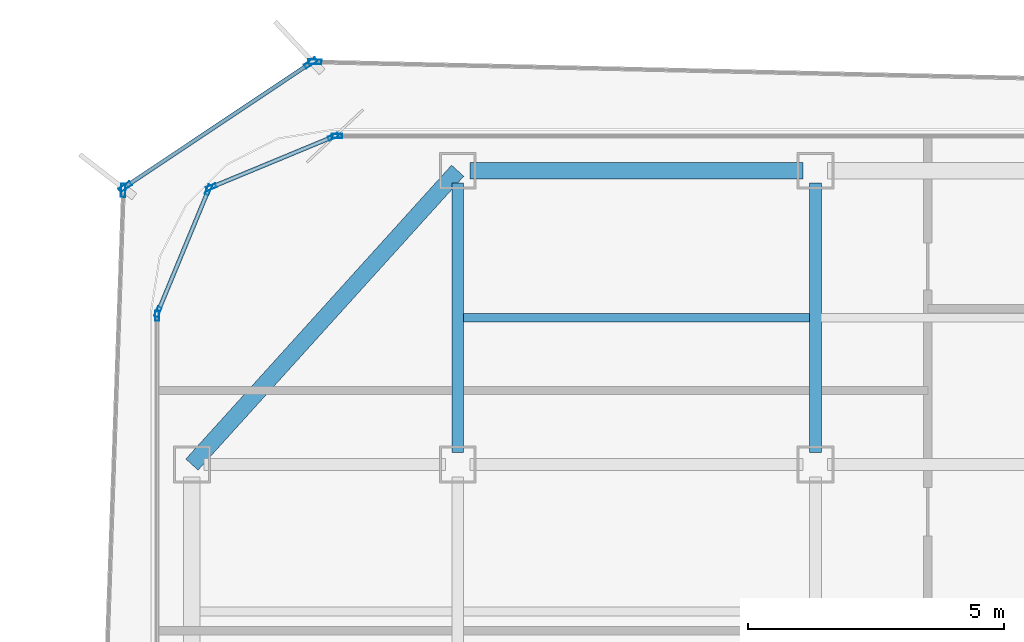
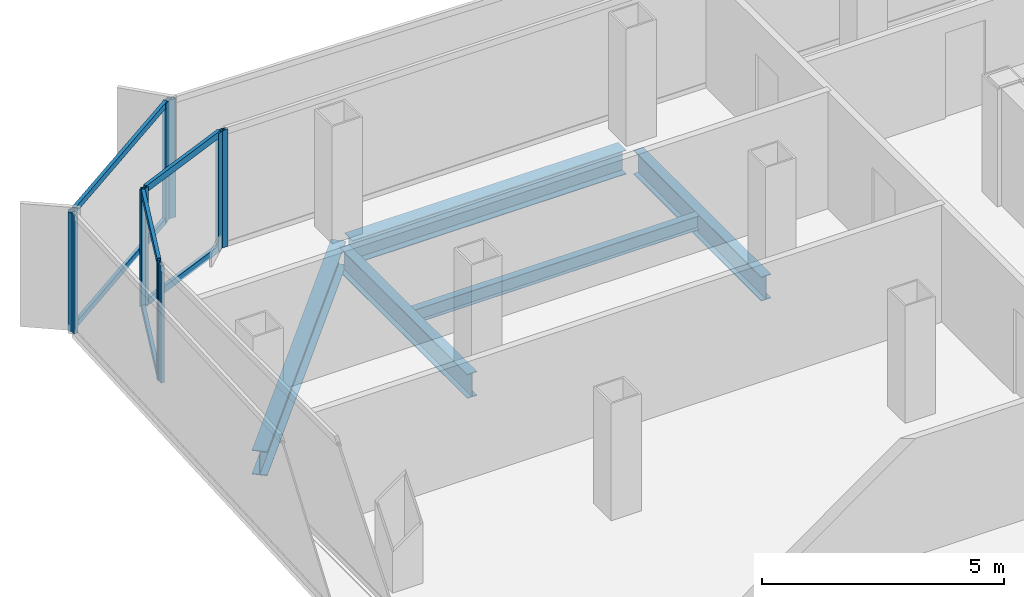
# One storey, part 6 of 16: 16 members, 5 beams, 7 elements without a shape of their own.
"""IFC4 building model written with IfcOpenShell, lengths in metres."""

from ifc_helpers import new_model, si_unit, direction, frame, origin, origin_2d, place, context, subcontext, project, spatial, hollow_rectangle, i_section, extrude, source, transform, mapped, material, layer, layer_set, material_profile, profile_set, type_object, element, aggregate, save


model = new_model("IFC4")

# Units and contexts
model_context = context("Model", 3, precision=1e-05, world=origin(), true_north=direction((0.0, 1.0)))
body_context = subcontext(model_context, "Body", "Model", "MODEL_VIEW")
ifc_project = project(units=[si_unit("LENGTHUNIT", "METRE"), si_unit("AREAUNIT", "SQUARE_METRE"), si_unit("VOLUMEUNIT", "CUBIC_METRE"), si_unit("PLANEANGLEUNIT", "RADIAN"), si_unit("MASSUNIT", "GRAM", prefix="KILO")], contexts=[model_context])

# Site, building, storey
site_placement = place(None, origin())
site = spatial("IfcSite", under=ifc_project, at=site_placement, CompositionType="ELEMENT")
building_placement = place(site_placement, origin())
building = spatial("IfcBuilding", under=site, at=building_placement, Name="Kolveth Station Tower", CompositionType="ELEMENT")
storey_placement = place(building_placement, frame((0.0, 0.0, 162.5)))
storey = spatial("IfcBuildingStorey", under=building, at=storey_placement, Name="L45", CompositionType="ELEMENT", Elevation=162.5)

# Beams
ifc_material_1 = material(Name="Steel S355", Category="steel")
ifc_material_profile_1 = material_profile(ifc_material_1, i_section(OverallWidth=0.323974609375, OverallDepth=0.611083984375, WebThickness=0.0126953125, FlangeThickness=0.01904296875, at=origin_2d()), Name="W610x155")
ifc_profile_set_1 = profile_set([ifc_material_profile_1], Name="Steel S355")
beam_type_1 = type_object("IfcBeamType", Name="Beam_SP2", PredefinedType="SPANDREL", material=ifc_profile_set_1)
shared_shape_1 = source(origin(), body_context, "Body", "SweptSolid", [
    extrude(i_section(OverallWidth=0.323974609375, OverallDepth=0.611083984375, WebThickness=0.0126953125, FlangeThickness=0.01904296875, at=origin_2d()), origin(), (0.0, 0.0, 1.0), 7.75244140625),
])
beam_1_placement = place(storey_placement, frame((6.0, 34.5, -0.555419921875), z_axis=(-0.670740965555, -0.74169168603, 0.0), x_axis=(0.74169168603, -0.670740965555, 0.0)))
element("IfcBeam", 1, at=beam_1_placement, inside=storey, type_object=beam_type_1, Name="L45 Corner Edge Girder BM-L45-CNR-NW", PredefinedType="SPANDREL", context=body_context, shape_type="MappedRepresentation", body=[
    mapped(shared_shape_1, transform((0.0, 0.0, 0.0), x_axis=(1.0, 0.0, 0.0), y_axis=(0.0, 1.0, 0.0), z_axis=(0.0, 0.0, 1.0), scale=1.0)),
])
shared_shape_2 = source(origin(), body_context, "Body", "SweptSolid", [
    extrude(i_section(OverallWidth=0.323974609375, OverallDepth=0.611083984375, WebThickness=0.0126953125, FlangeThickness=0.01904296875, at=origin_2d()), origin(), (0.0, 0.0, 1.0), 6.52001953125),
])
beam_2_placement = place(storey_placement, frame((6.239990234375, 34.5, -0.555419921875), z_axis=(1.0, 0.0, 0.0), x_axis=(0.0, 1.0, 0.0)))
element("IfcBeam", 2, at=beam_2_placement, inside=storey, type_object=beam_type_1, Name="L45 Perimeter Spandrel BM-L45-PN-1", PredefinedType="SPANDREL", context=body_context, shape_type="MappedRepresentation", body=[
    mapped(shared_shape_2, transform((0.0, 0.0, 0.0), x_axis=(1.0, 0.0, 0.0), y_axis=(0.0, 1.0, 0.0), z_axis=(0.0, 0.0, 1.0), scale=1.0)),
])
ifc_material_profile_2 = material_profile(ifc_material_1, i_section(OverallWidth=0.22900390625, OverallDepth=0.612060546875, WebThickness=0.011962890625, FlangeThickness=0.01953125, at=origin_2d()), Name="W610x125")
ifc_profile_set_2 = profile_set([ifc_material_profile_2], Name="Steel S355")
beam_type_2 = type_object("IfcBeamType", Name="Beam_B5", PredefinedType="BEAM", material=ifc_profile_set_2)
shared_shape_3 = source(origin(), body_context, "Body", "SweptSolid", [
    extrude(i_section(OverallWidth=0.22900390625, OverallDepth=0.612060546875, WebThickness=0.011962890625, FlangeThickness=0.01953125, at=origin_2d()), origin(), (0.0, 0.0, 1.0), 5.27001953125),
])
for number, where, z_axis, x_axis, name in (
    (3, (6.0, 28.989990234375, -0.555908203125), (0.0, 1.0, 0.0), (-1.0, 0.0, 0.0), "L45 Primary Girder BM-L45-GX60-6"),
    (4, (13.0, 28.989990234375, -0.555908203125), (0.0, 1.0, 0.0), (-1.0, 0.0, 0.0), "L45 Primary Girder BM-L45-GX130-6"),
):
    element("IfcBeam", number, at=place(storey_placement, frame(where, z_axis=z_axis, x_axis=x_axis)), inside=storey, type_object=beam_type_2, Name=name, PredefinedType="BEAM", context=body_context, shape_type="MappedRepresentation", body=[
        mapped(shared_shape_3, transform((0.0, 0.0, 0.0), x_axis=(1.0, 0.0, 0.0), y_axis=(0.0, 1.0, 0.0), z_axis=(0.0, 0.0, 1.0), scale=1.0)),
    ])
ifc_material_profile_3 = material_profile(ifc_material_1, i_section(OverallWidth=0.1708984375, OverallDepth=0.35205078125, WebThickness=0.0068359375, FlangeThickness=0.009765625, at=origin_2d()), Name="W360x44")
ifc_profile_set_3 = profile_set([ifc_material_profile_3], Name="Steel S355")
beam_type_3 = type_object("IfcBeamType", Name="Beam_J2", PredefinedType="JOIST", material=ifc_profile_set_3)
shared_shape_4 = source(origin(), body_context, "Body", "SweptSolid", [
    extrude(i_section(OverallWidth=0.1708984375, OverallDepth=0.35205078125, WebThickness=0.0068359375, FlangeThickness=0.009765625, at=origin_2d()), origin(), (0.0, 0.0, 1.0), 6.77490234375),
])
beam_3_placement = place(storey_placement, frame((6.112548828125, 31.625, -0.426025390625), z_axis=(1.0, 0.0, 0.0), x_axis=(0.0, 1.0, 0.0)))
element("IfcBeam", 5, at=beam_3_placement, inside=storey, type_object=beam_type_3, Name="L45 Secondary Joist JST-L45-2-6", PredefinedType="JOIST", context=body_context, shape_type="MappedRepresentation", body=[
    mapped(shared_shape_4, transform((0.0, 0.0, 0.0), x_axis=(1.0, 0.0, 0.0), y_axis=(0.0, 1.0, 0.0), z_axis=(0.0, 0.0, 1.0), scale=1.0)),
])

# Curtain wall, member
ifc_material_2 = material(Name="Aluminium 6063-T6 and low-E dark glass", Category="aluminium")
ifc_layer_1 = layer(ifc_material_2, 0.18994140625)
ifc_layer_set_1 = layer_set([ifc_layer_1], Name="Aluminium 6063-T6 and low-E dark glass")
curtain_wall_type_1 = type_object("IfcCurtainWallType", Name="CurtainWall_CW-Z2", PredefinedType="NOTDEFINED", material=ifc_layer_set_1)
curtain_wall_1_placement = place(storey_placement, origin())
curtain_wall_1 = element("IfcCurtainWall", 6, at=curtain_wall_1_placement, inside=storey, type_object=curtain_wall_type_1, Name="L45 Inner Thermal Curtain Wall 6", PredefinedType="NOTDEFINED")
ifc_material_3 = material(Name="Black anodized aluminium 6063-T6", Category="aluminium")
ifc_material_profile_4 = material_profile(ifc_material_3, hollow_rectangle(XDim=0.080078125, YDim=0.199951171875, WallThickness=0.0048828125, at=origin_2d()), Name="ALU-80x200x5")
ifc_profile_set_4 = profile_set([ifc_material_profile_4], Name="Black anodized aluminium 6063-T6")
member_type_1 = type_object("IfcMemberType", Name="Mullion_ML2", PredefinedType="MULLION", material=ifc_profile_set_4)
shared_shape_5 = source(origin(), body_context, "Body", "SweptSolid", [
    extrude(hollow_rectangle(XDim=0.080078125, YDim=0.199951171875, WallThickness=0.0048828125, at=origin_2d()), origin(), (0.0, 0.0, 1.0), 2.949951171875),
])
member_1_placement = place(storey_placement, frame((3.639892578125, 35.179931640625, 0.0), z_axis=(0.0, 0.0, 1.0), x_axis=(0.0, -1.0, 0.0)))
member_1 = element("IfcMember", 7, at=member_1_placement, type_object=member_type_1, Name="CW-Z2 mullion 2", PredefinedType="MULLION", context=body_context, shape_type="MappedRepresentation", body=[
    mapped(shared_shape_5, transform((0.0, 0.0, 0.0), x_axis=(1.0, 0.0, 0.0), y_axis=(0.0, 1.0, 0.0), z_axis=(0.0, 0.0, 1.0), scale=1.0)),
])
aggregate(curtain_wall_1, [member_1])

# Curtain wall, members
curtain_wall_2_placement = place(storey_placement, origin())
curtain_wall_2 = element("IfcCurtainWall", 8, at=curtain_wall_2_placement, inside=storey, type_object=curtain_wall_type_1, Name="L45 Inner Thermal Curtain Wall 7", PredefinedType="NOTDEFINED")
member_2_placement = place(storey_placement, frame((3.56298828125, 35.164794921875, 0.0), z_axis=(0.0, 0.0, 1.0), x_axis=(0.382697753087, -0.923873600544, 0.0)))
member_2 = element("IfcMember", 9, at=member_2_placement, type_object=member_type_1, Name="CW-Z2 mullion 1", PredefinedType="MULLION", context=body_context, shape_type="MappedRepresentation", body=[
    mapped(shared_shape_5, transform((0.0, 0.0, 0.0), x_axis=(1.0, 0.0, 0.0), y_axis=(0.0, 1.0, 0.0), z_axis=(0.0, 0.0, 1.0), scale=1.0)),
])
member_3_placement = place(storey_placement, frame((1.17626953125, 34.176025390625, 0.0), z_axis=(0.0, 0.0, 1.0), x_axis=(0.382697753087, -0.923873600544, 0.0)))
member_3 = element("IfcMember", 10, at=member_3_placement, type_object=member_type_1, Name="CW-Z2 mullion 2", PredefinedType="MULLION", context=body_context, shape_type="MappedRepresentation", body=[
    mapped(shared_shape_5, transform((0.0, 0.0, 0.0), x_axis=(1.0, 0.0, 0.0), y_axis=(0.0, 1.0, 0.0), z_axis=(0.0, 0.0, 1.0), scale=1.0)),
])

curtain_wall_3_placement = place(storey_placement, origin())
curtain_wall_3 = element("IfcCurtainWall", 11, at=curtain_wall_3_placement, inside=storey, type_object=curtain_wall_type_1, Name="L45 Inner Thermal Curtain Wall 8", PredefinedType="NOTDEFINED")
member_4_placement = place(storey_placement, frame((1.1240234375, 34.123779296875, 0.0), z_axis=(0.0, 0.0, 1.0), x_axis=(0.923873600544, -0.382697753087, 0.0)))
member_4 = element("IfcMember", 12, at=member_4_placement, type_object=member_type_1, Name="CW-Z2 mullion 1", PredefinedType="MULLION", context=body_context, shape_type="MappedRepresentation", body=[
    mapped(shared_shape_5, transform((0.0, 0.0, 0.0), x_axis=(1.0, 0.0, 0.0), y_axis=(0.0, 1.0, 0.0), z_axis=(0.0, 0.0, 1.0), scale=1.0)),
])
member_5_placement = place(storey_placement, frame((0.13525390625, 31.737060546875, 0.0), z_axis=(0.0, 0.0, 1.0), x_axis=(0.923873600544, -0.382697753087, 0.0)))
member_5 = element("IfcMember", 13, at=member_5_placement, type_object=member_type_1, Name="CW-Z2 mullion 2", PredefinedType="MULLION", context=body_context, shape_type="MappedRepresentation", body=[
    mapped(shared_shape_5, transform((0.0, 0.0, 0.0), x_axis=(1.0, 0.0, 0.0), y_axis=(0.0, 1.0, 0.0), z_axis=(0.0, 0.0, 1.0), scale=1.0)),
])

# Curtain wall, member
curtain_wall_4_placement = place(storey_placement, origin())
curtain_wall_4 = element("IfcCurtainWall", 14, at=curtain_wall_4_placement, inside=storey, type_object=curtain_wall_type_1, Name="L45 Inner Thermal Curtain Wall 9", PredefinedType="NOTDEFINED")
member_6_placement = place(storey_placement, frame((0.1201171875, 31.659912109375, 0.0), z_axis=(0.0, 0.0, 1.0), x_axis=(1.0, 0.0, 0.0)))
member_6 = element("IfcMember", 15, at=member_6_placement, type_object=member_type_1, Name="CW-Z2 mullion 1", PredefinedType="MULLION", context=body_context, shape_type="MappedRepresentation", body=[
    mapped(shared_shape_5, transform((0.0, 0.0, 0.0), x_axis=(1.0, 0.0, 0.0), y_axis=(0.0, 1.0, 0.0), z_axis=(0.0, 0.0, 1.0), scale=1.0)),
])
aggregate(curtain_wall_4, [member_6])

ifc_material_4 = material(Name="Black anodized aluminium 6063-T6 and dark solar glass", Category="aluminium")
ifc_layer_2 = layer(ifc_material_4, 0.159912109375)
ifc_layer_set_2 = layer_set([ifc_layer_2], Name="Black anodized aluminium 6063-T6 and dark solar glass")
curtain_wall_type_2 = type_object("IfcCurtainWallType", Name="OUTER SKIN CW-OS", PredefinedType="NOTDEFINED", material=ifc_layer_set_2)
curtain_wall_5_placement = place(storey_placement, origin())
curtain_wall_5 = element("IfcCurtainWall", 16, at=curtain_wall_5_placement, inside=storey, type_object=curtain_wall_type_2, Name="L45 Outer Ventilated Skin Curtain Wall 4", PredefinedType="NOTDEFINED")
ifc_material_profile_5 = material_profile(ifc_material_3, hollow_rectangle(XDim=0.090087890625, YDim=0.260009765625, WallThickness=0.0048828125, at=origin_2d()), Name="ALU-90x260x5")
ifc_profile_set_5 = profile_set([ifc_material_profile_5], Name="Black anodized aluminium 6063-T6")
member_type_2 = type_object("IfcMemberType", Name="FIN MULLION ML-OS", PredefinedType="MULLION", material=ifc_profile_set_5)
shared_shape_6 = source(origin(), body_context, "Body", "SweptSolid", [
    extrude(hollow_rectangle(XDim=0.090087890625, YDim=0.260009765625, WallThickness=0.0048828125, at=origin_2d()), origin(), (0.0, 0.0, 1.0), 2.989990234375),
])
member_7_placement = place(storey_placement, frame((3.20556640625, 36.632080078125, 0.0), z_axis=(0.0, 0.0, 1.0), x_axis=(-0.022723038218, -0.999741798433, 0.0)))
member_7 = element("IfcMember", 17, at=member_7_placement, type_object=member_type_2, Name="CW-OS mullion 2", PredefinedType="MULLION", context=body_context, shape_type="MappedRepresentation", body=[
    mapped(shared_shape_6, transform((0.0, 0.0, 0.0), x_axis=(1.0, 0.0, 0.0), y_axis=(0.0, 1.0, 0.0), z_axis=(0.0, 0.0, 1.0), scale=1.0)),
])
aggregate(curtain_wall_5, [member_7])

# Curtain wall, members
curtain_wall_6_placement = place(storey_placement, origin())
curtain_wall_6 = element("IfcCurtainWall", 18, at=curtain_wall_6_placement, inside=storey, type_object=curtain_wall_type_2, Name="L45 Outer Ventilated Skin Curtain Wall 5", PredefinedType="NOTDEFINED")
member_8_placement = place(storey_placement, frame((3.123291015625, 36.608154296875, 0.0), z_axis=(0.0, 0.0, 1.0), x_axis=(0.555233852833, -0.831694275962, 0.0)))
member_8 = element("IfcMember", 19, at=member_8_placement, type_object=member_type_2, Name="CW-OS mullion 1", PredefinedType="MULLION", context=body_context, shape_type="MappedRepresentation", body=[
    mapped(shared_shape_6, transform((0.0, 0.0, 0.0), x_axis=(1.0, 0.0, 0.0), y_axis=(0.0, 1.0, 0.0), z_axis=(0.0, 0.0, 1.0), scale=1.0)),
])
member_9_placement = place(storey_placement, frame((-0.505615234375, 34.185546875, 0.0), z_axis=(0.0, 0.0, 1.0), x_axis=(0.555233852833, -0.831694275962, 0.0)))
member_9 = element("IfcMember", 20, at=member_9_placement, type_object=member_type_2, Name="CW-OS mullion 2", PredefinedType="MULLION", context=body_context, shape_type="MappedRepresentation", body=[
    mapped(shared_shape_6, transform((0.0, 0.0, 0.0), x_axis=(1.0, 0.0, 0.0), y_axis=(0.0, 1.0, 0.0), z_axis=(0.0, 0.0, 1.0), scale=1.0)),
])

# Curtain wall, member
curtain_wall_7_placement = place(storey_placement, origin())
curtain_wall_7 = element("IfcCurtainWall", 21, at=curtain_wall_7_placement, inside=storey, type_object=curtain_wall_type_2, Name="L45 Outer Ventilated Skin Curtain Wall 6", PredefinedType="NOTDEFINED")
member_10_placement = place(storey_placement, frame((-0.544677734375, 34.11572265625, 0.0), z_axis=(0.0, 0.0, 1.0), x_axis=(0.999378229613, -0.035258391556, 0.0)))
member_10 = element("IfcMember", 22, at=member_10_placement, type_object=member_type_2, Name="CW-OS mullion 1", PredefinedType="MULLION", context=body_context, shape_type="MappedRepresentation", body=[
    mapped(shared_shape_6, transform((0.0, 0.0, 0.0), x_axis=(1.0, 0.0, 0.0), y_axis=(0.0, 1.0, 0.0), z_axis=(0.0, 0.0, 1.0), scale=1.0)),
])
aggregate(curtain_wall_7, [member_10])

# Member
ifc_material_profile_6 = material_profile(ifc_material_3, hollow_rectangle(XDim=0.080078125, YDim=0.169921875, WallThickness=0.0048828125, at=origin_2d()), Name="ALU-80x170x5")
ifc_profile_set_6 = profile_set([ifc_material_profile_6], Name="Black anodized aluminium 6063-T6")
member_type_3 = type_object("IfcMemberType", Name="Transom_TR2", PredefinedType="USERDEFINED", material=ifc_profile_set_6)
shared_shape_7 = source(origin(), body_context, "Body", "SweptSolid", [
    extrude(hollow_rectangle(XDim=0.080078125, YDim=0.169921875, WallThickness=0.0048828125, at=origin_2d()), origin(), (0.0, 0.0, 1.0), 2.50341796875),
])
member_11_placement = place(storey_placement, frame((3.526123046875, 35.1494140625, 0.0400390625), z_axis=(-0.923888472039, -0.382661849723, 0.0), x_axis=(0.382661849723, -0.923888472039, 0.0)))
member_11 = element("IfcMember", 23, at=member_11_placement, type_object=member_type_3, Name="CW-Z2 transom 1.1", ObjectType="TRANSOM", PredefinedType="USERDEFINED", context=body_context, shape_type="MappedRepresentation", body=[
    mapped(shared_shape_7, transform((0.0, 0.0, 0.0), x_axis=(1.0, 0.0, 0.0), y_axis=(0.0, 1.0, 0.0), z_axis=(0.0, 0.0, 1.0), scale=1.0)),
])

member_12_placement = place(storey_placement, frame((3.526123046875, 35.1494140625, 2.909912109375), z_axis=(-0.923888472039, -0.382661849723, 0.0), x_axis=(0.382661849723, -0.923888472039, 0.0)))
member_12 = element("IfcMember", 24, at=member_12_placement, type_object=member_type_3, Name="CW-Z2 transom 1.2", ObjectType="TRANSOM", PredefinedType="USERDEFINED", context=body_context, shape_type="MappedRepresentation", body=[
    mapped(shared_shape_7, transform((0.0, 0.0, 0.0), x_axis=(1.0, 0.0, 0.0), y_axis=(0.0, 1.0, 0.0), z_axis=(0.0, 0.0, 1.0), scale=1.0)),
])

aggregate(curtain_wall_2, [member_2, member_3, member_11, member_12])

member_13_placement = place(storey_placement, frame((1.108642578125, 34.086669921875, 0.0400390625), z_axis=(-0.382696328882, -0.923874190494, 0.0), x_axis=(0.923874190494, -0.382696328882, 0.0)))
member_13 = element("IfcMember", 25, at=member_13_placement, type_object=member_type_3, Name="CW-Z2 transom 1.1", ObjectType="TRANSOM", PredefinedType="USERDEFINED", context=body_context, shape_type="MappedRepresentation", body=[
    mapped(shared_shape_7, transform((0.0, 0.0, 0.0), x_axis=(1.0, 0.0, 0.0), y_axis=(0.0, 1.0, 0.0), z_axis=(0.0, 0.0, 1.0), scale=1.0)),
])

member_14_placement = place(storey_placement, frame((1.108642578125, 34.086669921875, 2.909912109375), z_axis=(-0.382696328882, -0.923874190494, 0.0), x_axis=(0.923874190494, -0.382696328882, 0.0)))
member_14 = element("IfcMember", 26, at=member_14_placement, type_object=member_type_3, Name="CW-Z2 transom 1.2", ObjectType="TRANSOM", PredefinedType="USERDEFINED", context=body_context, shape_type="MappedRepresentation", body=[
    mapped(shared_shape_7, transform((0.0, 0.0, 0.0), x_axis=(1.0, 0.0, 0.0), y_axis=(0.0, 1.0, 0.0), z_axis=(0.0, 0.0, 1.0), scale=1.0)),
])

aggregate(curtain_wall_3, [member_4, member_5, member_13, member_14])

ifc_material_profile_7 = material_profile(ifc_material_3, hollow_rectangle(XDim=0.080078125, YDim=0.14990234375, WallThickness=0.0048828125, at=origin_2d()), Name="ALU-80x150x5")
ifc_profile_set_7 = profile_set([ifc_material_profile_7], Name="Black anodized aluminium 6063-T6")
member_type_4 = type_object("IfcMemberType", Name="Transom_TR-OS", PredefinedType="USERDEFINED", material=ifc_profile_set_7)
shared_shape_8 = source(origin(), body_context, "Body", "SweptSolid", [
    extrude(hollow_rectangle(XDim=0.080078125, YDim=0.14990234375, WallThickness=0.0048828125, at=origin_2d()), origin(), (0.0, 0.0, 1.0), 4.273193359375),
])
member_15_placement = place(storey_placement, frame((3.085693359375, 36.5830078125, 0.0400390625), z_axis=(-0.831698533817, -0.555227474867, 0.0), x_axis=(0.555227474867, -0.831698533817, 0.0)))
member_15 = element("IfcMember", 27, at=member_15_placement, type_object=member_type_4, Name="CW-OS transom 1.1", ObjectType="TRANSOM", PredefinedType="USERDEFINED", context=body_context, shape_type="MappedRepresentation", body=[
    mapped(shared_shape_8, transform((0.0, 0.0, 0.0), x_axis=(1.0, 0.0, 0.0), y_axis=(0.0, 1.0, 0.0), z_axis=(0.0, 0.0, 1.0), scale=1.0)),
])

member_16_placement = place(storey_placement, frame((3.085693359375, 36.5830078125, 2.949951171875), z_axis=(-0.831698533817, -0.555227474867, 0.0), x_axis=(0.555227474867, -0.831698533817, 0.0)))
member_16 = element("IfcMember", 28, at=member_16_placement, type_object=member_type_4, Name="CW-OS transom 1.2", ObjectType="TRANSOM", PredefinedType="USERDEFINED", context=body_context, shape_type="MappedRepresentation", body=[
    mapped(shared_shape_8, transform((0.0, 0.0, 0.0), x_axis=(1.0, 0.0, 0.0), y_axis=(0.0, 1.0, 0.0), z_axis=(0.0, 0.0, 1.0), scale=1.0)),
])

aggregate(curtain_wall_6, [member_8, member_9, member_15, member_16])

save(model, "model.ifc")
